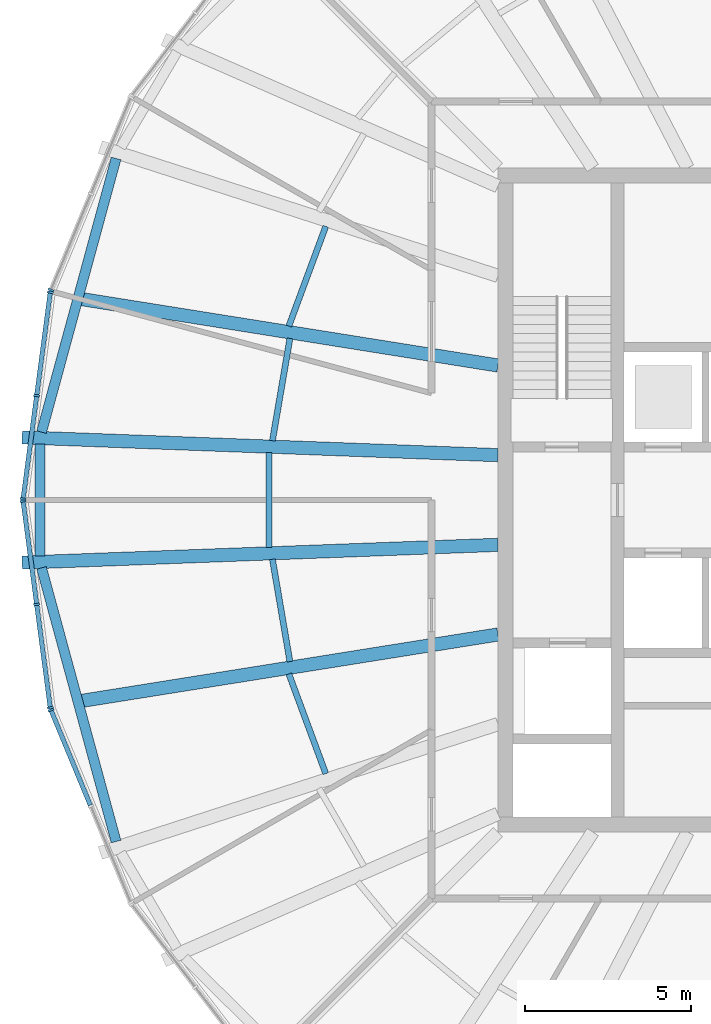
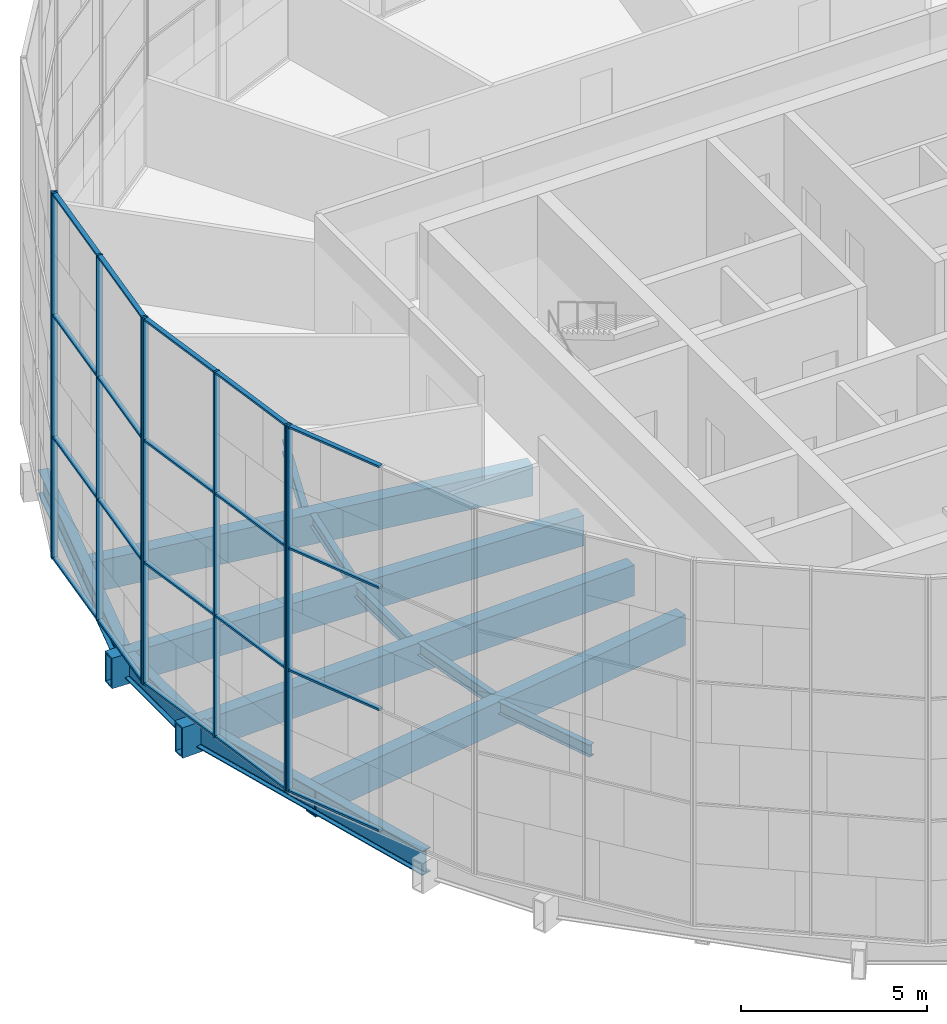
# One storey, part 3 of 22: 28 members, 12 beams, 4 elements without a shape of their own.
"""IFC4 building model written with IfcOpenShell, lengths in metres."""

from ifc_helpers import new_model, si_unit, direction, frame, origin, origin_2d, place, context, subcontext, project, spatial, rectangle, hollow_rectangle, i_section, extrude, material, material_profile, profile_set, type_object, element, aggregate, save


model = new_model("IFC4")

# Units and contexts
model_context = context("Model", 3, precision=1e-05, world=origin(), true_north=direction((0.0, 1.0)))
body_context = subcontext(model_context, "Body", "Model", "MODEL_VIEW")
ifc_project = project(units=[si_unit("LENGTHUNIT", "METRE"), si_unit("AREAUNIT", "SQUARE_METRE"), si_unit("VOLUMEUNIT", "CUBIC_METRE"), si_unit("PLANEANGLEUNIT", "RADIAN"), si_unit("MASSUNIT", "GRAM", prefix="KILO")], contexts=[model_context])

# Site, building, storey
site_placement = place(None, origin())
site = spatial("IfcSite", under=ifc_project, at=site_placement, CompositionType="ELEMENT")
building_placement = place(site_placement, origin())
building = spatial("IfcBuilding", under=site, at=building_placement, Name="Golbaran Civic Tower", CompositionType="ELEMENT")
storey_placement = place(building_placement, frame((0.0, 0.0, 155.0)))
storey = spatial("IfcBuildingStorey", under=building, at=storey_placement, Name="L37", CompositionType="ELEMENT", Elevation=155.0)

# Beams
ifc_material_1 = material(Name="Steel S355", Category="steel")
ifc_material_profile_1 = material_profile(ifc_material_1, i_section(OverallWidth=0.300048828125, OverallDepth=0.800048828125, WebThickness=0.017578125, FlangeThickness=0.032958984375, FilletRadius=0.030029296875, at=origin_2d()), Name="HEB 800")
ifc_profile_set_1 = profile_set([ifc_material_profile_1], Name="Steel S355")
beam_type_1 = type_object("IfcBeamType", Name="EDGE BEAM HEB 800", PredefinedType="BEAM", material=ifc_profile_set_1)
beam_1_placement = place(storey_placement, frame((-21.497314453125, 10.28515625, -0.60009765625), z_axis=(-0.262832022744, -0.964841607633, 0.0), x_axis=(0.964841607633, -0.262832022744, 0.0)))
element("IfcBeam", 1, at=beam_1_placement, inside=storey, type_object=beam_type_1, Name="Edge beam 154.38 L37", PredefinedType="BEAM", context=body_context, shape_type="SweptSolid", body=[
    extrude(i_section(OverallWidth=0.300048828125, OverallDepth=0.800048828125, WebThickness=0.017578125, FlangeThickness=0.032958984375, FilletRadius=0.030029296875, at=origin_2d()), origin(), (0.0, 0.0, 1.0), 8.5419921875),
])
beam_2_placement = place(storey_placement, frame((-23.791015625, 1.68505859375, -0.60009765625), z_axis=(0.0, -1.0, 0.0), x_axis=(1.0, 0.0, 0.0)))
element("IfcBeam", 2, at=beam_2_placement, inside=storey, type_object=beam_type_1, Name="Edge beam 175.62 L37", PredefinedType="BEAM", context=body_context, shape_type="SweptSolid", body=[
    extrude(i_section(OverallWidth=0.300048828125, OverallDepth=0.800048828125, WebThickness=0.017578125, FlangeThickness=0.032958984375, FilletRadius=0.030029296875, at=origin_2d()), origin(), (0.0, 0.0, 1.0), 3.3701171875),
])
beam_3_placement = place(storey_placement, frame((-23.742431640625, -2.04345703125, -0.60009765625), z_axis=(0.262832022744, -0.964841607633, 0.0), x_axis=(0.964841607633, 0.262832022744, 0.0)))
element("IfcBeam", 3, at=beam_3_placement, inside=storey, type_object=beam_type_1, Name="Edge beam 184.38 L37", PredefinedType="BEAM", context=body_context, shape_type="SweptSolid", body=[
    extrude(i_section(OverallWidth=0.300048828125, OverallDepth=0.800048828125, WebThickness=0.017578125, FlangeThickness=0.032958984375, FilletRadius=0.030029296875, at=origin_2d()), origin(), (0.0, 0.0, 1.0), 8.5419921875),
])
ifc_material_profile_2 = material_profile(ifc_material_1, i_section(OverallWidth=0.179931640625, OverallDepth=0.39990234375, WebThickness=0.008544921875, FlangeThickness=0.013427734375, FilletRadius=0.02099609375, at=origin_2d()), Name="IPE 400")
ifc_profile_set_2 = profile_set([ifc_material_profile_2], Name="Steel S355")
beam_type_2 = type_object("IfcBeamType", Name="FLOOR INFILL BEAM IPE 400", PredefinedType="BEAM", material=ifc_profile_set_2)
beam_4_placement = place(storey_placement, frame((-15.183837890625, 8.239990234375, -0.39990234375), z_axis=(-0.3471181857, -0.937821392993, 0.0), x_axis=(0.937821392993, -0.3471181857, 0.0)))
element("IfcBeam", 4, at=beam_4_placement, inside=storey, type_object=beam_type_2, Name="Infill beam 159.69 L37", PredefinedType="BEAM", context=body_context, shape_type="SweptSolid", body=[
    extrude(i_section(OverallWidth=0.179931640625, OverallDepth=0.39990234375, WebThickness=0.008544921875, FlangeThickness=0.013427734375, FilletRadius=0.02099609375, at=origin_2d()), origin(), (0.0, 0.0, 1.0), 3.202392578125),
])
beam_5_placement = place(storey_placement, frame((-16.262939453125, 4.8671875, -0.39990234375), z_axis=(-0.168270567281, -0.985740846362, 0.0), x_axis=(0.985740846362, -0.168270567281, 0.0)))
element("IfcBeam", 5, at=beam_5_placement, inside=storey, type_object=beam_type_2, Name="Infill beam 170.31 L37", PredefinedType="BEAM", context=body_context, shape_type="SweptSolid", body=[
    extrude(i_section(OverallWidth=0.179931640625, OverallDepth=0.39990234375, WebThickness=0.008544921875, FlangeThickness=0.013427734375, FilletRadius=0.02099609375, at=origin_2d()), origin(), (0.0, 0.0, 1.0), 3.128173828125),
])
beam_6_placement = place(storey_placement, frame((-16.8955078125, 1.427490234375, -0.39990234375), z_axis=(0.0, -1.0, 0.0), x_axis=(1.0, 0.0, 0.0)))
element("IfcBeam", 6, at=beam_6_placement, inside=storey, type_object=beam_type_2, Name="Infill beam 180.00 L37", PredefinedType="BEAM", context=body_context, shape_type="SweptSolid", body=[
    extrude(i_section(OverallWidth=0.179931640625, OverallDepth=0.39990234375, WebThickness=0.008544921875, FlangeThickness=0.013427734375, FilletRadius=0.02099609375, at=origin_2d()), origin(), (0.0, 0.0, 1.0), 2.85498046875),
])
beam_7_placement = place(storey_placement, frame((-16.789306640625, -1.78369140625, -0.39990234375), z_axis=(0.168270567281, -0.985740846362, 0.0), x_axis=(0.985740846362, 0.168270567281, 0.0)))
element("IfcBeam", 7, at=beam_7_placement, inside=storey, type_object=beam_type_2, Name="Infill beam 189.69 L37", PredefinedType="BEAM", context=body_context, shape_type="SweptSolid", body=[
    extrude(i_section(OverallWidth=0.179931640625, OverallDepth=0.39990234375, WebThickness=0.008544921875, FlangeThickness=0.013427734375, FilletRadius=0.02099609375, at=origin_2d()), origin(), (0.0, 0.0, 1.0), 3.128173828125),
])
beam_8_placement = place(storey_placement, frame((-16.29541015625, -5.23681640625, -0.39990234375), z_axis=(0.3471181857, -0.937821392993, 0.0), x_axis=(0.937821392993, 0.3471181857, 0.0)))
element("IfcBeam", 8, at=beam_8_placement, inside=storey, type_object=beam_type_2, Name="Infill beam 200.31 L37", PredefinedType="BEAM", context=body_context, shape_type="SweptSolid", body=[
    extrude(i_section(OverallWidth=0.179931640625, OverallDepth=0.39990234375, WebThickness=0.008544921875, FlangeThickness=0.013427734375, FilletRadius=0.02099609375, at=origin_2d()), origin(), (0.0, 0.0, 1.0), 3.202392578125),
])

# Curtain wall, member
ifc_material_2 = material(Name="Aluminium and glass", Category="aluminium")
curtain_wall_type = type_object("IfcCurtainWallType", Name="INNER SKIN CURTAIN WALL", PredefinedType="NOTDEFINED", material=ifc_material_2)
curtain_wall_1_placement = place(storey_placement, origin())
curtain_wall_1 = element("IfcCurtainWall", 9, at=curtain_wall_1_placement, inside=storey, type_object=curtain_wall_type, Name="Inner skin L37 facet 11 CW1", ObjectType="INNER SKIN", PredefinedType="USERDEFINED")
ifc_material_3 = material(Name="Aluminium", Category="aluminium")
ifc_material_profile_3 = material_profile(ifc_material_3, rectangle(XDim=0.179931640625, YDim=0.06494140625, at=origin_2d()), Name="INNER SKIN CURTAIN WALL MULLION")
ifc_profile_set_3 = profile_set([ifc_material_profile_3], Name="Aluminium")
member_type_1 = type_object("IfcMemberType", Name="INNER SKIN CURTAIN WALL MULLION", PredefinedType="MULLION", material=ifc_profile_set_3)
member_1_placement = place(storey_placement, frame((-23.46142578125, 6.31982421875, 0.0), z_axis=(0.0, 0.0, 1.0), x_axis=(0.923879532551, -0.382683432268, 0.0)))
member_1 = element("IfcMember", 10, at=member_1_placement, type_object=member_type_1, Name="CW1 mullion 3", PredefinedType="MULLION", context=body_context, shape_type="SweptSolid", body=[
    extrude(rectangle(XDim=0.179931640625, YDim=0.06494140625, at=origin_2d()), origin(), (0.0, 0.0, 1.0), 12.0),
])
aggregate(curtain_wall_1, [member_1])

# Curtain wall, members
curtain_wall_2_placement = place(storey_placement, origin())
curtain_wall_2 = element("IfcCurtainWall", 11, at=curtain_wall_2_placement, inside=storey, type_object=curtain_wall_type, Name="Inner skin L37 facet 12 CW1", ObjectType="INNER SKIN", PredefinedType="USERDEFINED")
member_2_placement = place(storey_placement, frame((-23.478271484375, 6.257568359375, 0.0), z_axis=(0.0, 0.0, 1.0), x_axis=(0.991444861365, -0.130526192289, 0.0)))
member_2 = element("IfcMember", 12, at=member_2_placement, type_object=member_type_1, Name="CW1 mullion 1", PredefinedType="MULLION", context=body_context, shape_type="SweptSolid", body=[
    extrude(rectangle(XDim=0.179931640625, YDim=0.06494140625, at=origin_2d()), origin(), (0.0, 0.0, 1.0), 12.0),
])
member_3_placement = place(storey_placement, frame((-23.887939453125, 3.14501953125, 0.0), z_axis=(0.0, 0.0, 1.0), x_axis=(0.991444861365, -0.130526192289, 0.0)))
member_3 = element("IfcMember", 13, at=member_3_placement, type_object=member_type_1, Name="CW1 mullion 2", PredefinedType="MULLION", context=body_context, shape_type="SweptSolid", body=[
    extrude(rectangle(XDim=0.179931640625, YDim=0.06494140625, at=origin_2d()), origin(), (0.0, 0.0, 1.0), 12.0),
])
member_4_placement = place(storey_placement, frame((-24.2978515625, 0.0322265625, 0.0), z_axis=(0.0, 0.0, 1.0), x_axis=(0.991444861365, -0.130526192289, 0.0)))
member_4 = element("IfcMember", 14, at=member_4_placement, type_object=member_type_1, Name="CW1 mullion 3", PredefinedType="MULLION", context=body_context, shape_type="SweptSolid", body=[
    extrude(rectangle(XDim=0.179931640625, YDim=0.06494140625, at=origin_2d()), origin(), (0.0, 0.0, 1.0), 12.0),
])

curtain_wall_3_placement = place(storey_placement, origin())
curtain_wall_3 = element("IfcCurtainWall", 15, at=curtain_wall_3_placement, inside=storey, type_object=curtain_wall_type, Name="Inner skin L37 facet 13 CW1", ObjectType="INNER SKIN", PredefinedType="USERDEFINED")
member_5_placement = place(storey_placement, frame((-24.2978515625, -0.0322265625, 0.0), z_axis=(0.0, 0.0, 1.0), x_axis=(0.991444861365, 0.130526192289, 0.0)))
member_5 = element("IfcMember", 16, at=member_5_placement, type_object=member_type_1, Name="CW1 mullion 1", PredefinedType="MULLION", context=body_context, shape_type="SweptSolid", body=[
    extrude(rectangle(XDim=0.179931640625, YDim=0.06494140625, at=origin_2d()), origin(), (0.0, 0.0, 1.0), 12.0),
])
member_6_placement = place(storey_placement, frame((-23.887939453125, -3.14501953125, 0.0), z_axis=(0.0, 0.0, 1.0), x_axis=(0.991444861365, 0.130526192289, 0.0)))
member_6 = element("IfcMember", 17, at=member_6_placement, type_object=member_type_1, Name="CW1 mullion 2", PredefinedType="MULLION", context=body_context, shape_type="SweptSolid", body=[
    extrude(rectangle(XDim=0.179931640625, YDim=0.06494140625, at=origin_2d()), origin(), (0.0, 0.0, 1.0), 12.0),
])
member_7_placement = place(storey_placement, frame((-23.478271484375, -6.257568359375, 0.0), z_axis=(0.0, 0.0, 1.0), x_axis=(0.991444861365, 0.130526192289, 0.0)))
member_7 = element("IfcMember", 18, at=member_7_placement, type_object=member_type_1, Name="CW1 mullion 3", PredefinedType="MULLION", context=body_context, shape_type="SweptSolid", body=[
    extrude(rectangle(XDim=0.179931640625, YDim=0.06494140625, at=origin_2d()), origin(), (0.0, 0.0, 1.0), 12.0),
])

# Curtain wall, member
curtain_wall_4_placement = place(storey_placement, origin())
curtain_wall_4 = element("IfcCurtainWall", 19, at=curtain_wall_4_placement, inside=storey, type_object=curtain_wall_type, Name="Inner skin L37 facet 14 CW1", ObjectType="INNER SKIN", PredefinedType="USERDEFINED")
member_8_placement = place(storey_placement, frame((-23.46142578125, -6.31982421875, 0.0), z_axis=(0.0, 0.0, 1.0), x_axis=(0.923879532551, 0.382683432268, 0.0)))
member_8 = element("IfcMember", 20, at=member_8_placement, type_object=member_type_1, Name="CW1 mullion 1", PredefinedType="MULLION", context=body_context, shape_type="SweptSolid", body=[
    extrude(rectangle(XDim=0.179931640625, YDim=0.06494140625, at=origin_2d()), origin(), (0.0, 0.0, 1.0), 12.0),
])

# Member
ifc_material_profile_4 = material_profile(ifc_material_3, rectangle(XDim=0.139892578125, YDim=0.06494140625, at=origin_2d()), Name="INNER SKIN CURTAIN WALL TRANSOM")
ifc_profile_set_4 = profile_set([ifc_material_profile_4], Name="Aluminium")
member_type_2 = type_object("IfcMemberType", Name="INNER SKIN CURTAIN WALL TRANSOM", PredefinedType="USERDEFINED", material=ifc_profile_set_4)
member_9_placement = place(storey_placement, frame((-23.482421875, 6.225341796875, 0.032470703125), z_axis=(-0.130551058833, -0.991441587305, 0.0), x_axis=(0.991441587305, -0.130551058833, 0.0)))
member_9 = element("IfcMember", 21, at=member_9_placement, type_object=member_type_2, Name="CW1 transom 1.1", ObjectType="TRANSOM", PredefinedType="USERDEFINED", context=body_context, shape_type="SweptSolid", body=[
    extrude(rectangle(XDim=0.139892578125, YDim=0.06494140625, at=origin_2d()), origin(), (0.0, 0.0, 1.0), 3.074462890625),
])

member_10_placement = place(storey_placement, frame((-23.482421875, 6.225341796875, 4.0), z_axis=(-0.130551058833, -0.991441587305, 0.0), x_axis=(0.991441587305, -0.130551058833, 0.0)))
member_10 = element("IfcMember", 22, at=member_10_placement, type_object=member_type_2, Name="CW1 transom 1.2", ObjectType="TRANSOM", PredefinedType="USERDEFINED", context=body_context, shape_type="SweptSolid", body=[
    extrude(rectangle(XDim=0.139892578125, YDim=0.06494140625, at=origin_2d()), origin(), (0.0, 0.0, 1.0), 3.074462890625),
])

member_11_placement = place(storey_placement, frame((-23.482421875, 6.225341796875, 8.0), z_axis=(-0.130551058833, -0.991441587305, 0.0), x_axis=(0.991441587305, -0.130551058833, 0.0)))
member_11 = element("IfcMember", 23, at=member_11_placement, type_object=member_type_2, Name="CW1 transom 1.3", ObjectType="TRANSOM", PredefinedType="USERDEFINED", context=body_context, shape_type="SweptSolid", body=[
    extrude(rectangle(XDim=0.139892578125, YDim=0.06494140625, at=origin_2d()), origin(), (0.0, 0.0, 1.0), 3.074462890625),
])

member_12_placement = place(storey_placement, frame((-23.482421875, 6.225341796875, 11.967529296875), z_axis=(-0.130551058833, -0.991441587305, 0.0), x_axis=(0.991441587305, -0.130551058833, 0.0)))
member_12 = element("IfcMember", 24, at=member_12_placement, type_object=member_type_2, Name="CW1 transom 1.4", ObjectType="TRANSOM", PredefinedType="USERDEFINED", context=body_context, shape_type="SweptSolid", body=[
    extrude(rectangle(XDim=0.139892578125, YDim=0.06494140625, at=origin_2d()), origin(), (0.0, 0.0, 1.0), 3.074462890625),
])

member_13_placement = place(storey_placement, frame((-23.89208984375, 3.11279296875, 0.032470703125), z_axis=(-0.130540781221, -0.991442940586, 0.0), x_axis=(0.991442940586, -0.130540781221, 0.0)))
member_13 = element("IfcMember", 25, at=member_13_placement, type_object=member_type_2, Name="CW1 transom 2.1", ObjectType="TRANSOM", PredefinedType="USERDEFINED", context=body_context, shape_type="SweptSolid", body=[
    extrude(rectangle(XDim=0.139892578125, YDim=0.06494140625, at=origin_2d()), origin(), (0.0, 0.0, 1.0), 3.07470703125),
])

member_14_placement = place(storey_placement, frame((-23.89208984375, 3.11279296875, 4.0), z_axis=(-0.130540781221, -0.991442940586, 0.0), x_axis=(0.991442940586, -0.130540781221, 0.0)))
member_14 = element("IfcMember", 26, at=member_14_placement, type_object=member_type_2, Name="CW1 transom 2.2", ObjectType="TRANSOM", PredefinedType="USERDEFINED", context=body_context, shape_type="SweptSolid", body=[
    extrude(rectangle(XDim=0.139892578125, YDim=0.06494140625, at=origin_2d()), origin(), (0.0, 0.0, 1.0), 3.07470703125),
])

member_15_placement = place(storey_placement, frame((-23.89208984375, 3.11279296875, 8.0), z_axis=(-0.130540781221, -0.991442940586, 0.0), x_axis=(0.991442940586, -0.130540781221, 0.0)))
member_15 = element("IfcMember", 27, at=member_15_placement, type_object=member_type_2, Name="CW1 transom 2.3", ObjectType="TRANSOM", PredefinedType="USERDEFINED", context=body_context, shape_type="SweptSolid", body=[
    extrude(rectangle(XDim=0.139892578125, YDim=0.06494140625, at=origin_2d()), origin(), (0.0, 0.0, 1.0), 3.07470703125),
])

member_16_placement = place(storey_placement, frame((-23.89208984375, 3.11279296875, 11.967529296875), z_axis=(-0.130540781221, -0.991442940586, 0.0), x_axis=(0.991442940586, -0.130540781221, 0.0)))
member_16 = element("IfcMember", 28, at=member_16_placement, type_object=member_type_2, Name="CW1 transom 2.4", ObjectType="TRANSOM", PredefinedType="USERDEFINED", context=body_context, shape_type="SweptSolid", body=[
    extrude(rectangle(XDim=0.139892578125, YDim=0.06494140625, at=origin_2d()), origin(), (0.0, 0.0, 1.0), 3.07470703125),
])

aggregate(curtain_wall_2, [member_2, member_3, member_4, member_9, member_10, member_11, member_12, member_13, member_14, member_15, member_16])

member_17_placement = place(storey_placement, frame((-24.29345703125, -0.064453125, 0.032470703125), z_axis=(0.130540781221, -0.991442940586, 0.0), x_axis=(0.991442940586, 0.130540781221, 0.0)))
member_17 = element("IfcMember", 29, at=member_17_placement, type_object=member_type_2, Name="CW1 transom 1.1", ObjectType="TRANSOM", PredefinedType="USERDEFINED", context=body_context, shape_type="SweptSolid", body=[
    extrude(rectangle(XDim=0.139892578125, YDim=0.06494140625, at=origin_2d()), origin(), (0.0, 0.0, 1.0), 3.07470703125),
])

member_18_placement = place(storey_placement, frame((-24.29345703125, -0.064453125, 4.0), z_axis=(0.130540781221, -0.991442940586, 0.0), x_axis=(0.991442940586, 0.130540781221, 0.0)))
member_18 = element("IfcMember", 30, at=member_18_placement, type_object=member_type_2, Name="CW1 transom 1.2", ObjectType="TRANSOM", PredefinedType="USERDEFINED", context=body_context, shape_type="SweptSolid", body=[
    extrude(rectangle(XDim=0.139892578125, YDim=0.06494140625, at=origin_2d()), origin(), (0.0, 0.0, 1.0), 3.07470703125),
])

member_19_placement = place(storey_placement, frame((-24.29345703125, -0.064453125, 8.0), z_axis=(0.130540781221, -0.991442940586, 0.0), x_axis=(0.991442940586, 0.130540781221, 0.0)))
member_19 = element("IfcMember", 31, at=member_19_placement, type_object=member_type_2, Name="CW1 transom 1.3", ObjectType="TRANSOM", PredefinedType="USERDEFINED", context=body_context, shape_type="SweptSolid", body=[
    extrude(rectangle(XDim=0.139892578125, YDim=0.06494140625, at=origin_2d()), origin(), (0.0, 0.0, 1.0), 3.07470703125),
])

member_20_placement = place(storey_placement, frame((-24.29345703125, -0.064453125, 11.967529296875), z_axis=(0.130540781221, -0.991442940586, 0.0), x_axis=(0.991442940586, 0.130540781221, 0.0)))
member_20 = element("IfcMember", 32, at=member_20_placement, type_object=member_type_2, Name="CW1 transom 1.4", ObjectType="TRANSOM", PredefinedType="USERDEFINED", context=body_context, shape_type="SweptSolid", body=[
    extrude(rectangle(XDim=0.139892578125, YDim=0.06494140625, at=origin_2d()), origin(), (0.0, 0.0, 1.0), 3.07470703125),
])

member_21_placement = place(storey_placement, frame((-23.8837890625, -3.17724609375, 0.032470703125), z_axis=(0.130551058833, -0.991441587305, 0.0), x_axis=(0.991441587305, 0.130551058833, 0.0)))
member_21 = element("IfcMember", 33, at=member_21_placement, type_object=member_type_2, Name="CW1 transom 2.1", ObjectType="TRANSOM", PredefinedType="USERDEFINED", context=body_context, shape_type="SweptSolid", body=[
    extrude(rectangle(XDim=0.139892578125, YDim=0.06494140625, at=origin_2d()), origin(), (0.0, 0.0, 1.0), 3.074462890625),
])

member_22_placement = place(storey_placement, frame((-23.8837890625, -3.17724609375, 4.0), z_axis=(0.130551058833, -0.991441587305, 0.0), x_axis=(0.991441587305, 0.130551058833, 0.0)))
member_22 = element("IfcMember", 34, at=member_22_placement, type_object=member_type_2, Name="CW1 transom 2.2", ObjectType="TRANSOM", PredefinedType="USERDEFINED", context=body_context, shape_type="SweptSolid", body=[
    extrude(rectangle(XDim=0.139892578125, YDim=0.06494140625, at=origin_2d()), origin(), (0.0, 0.0, 1.0), 3.074462890625),
])

member_23_placement = place(storey_placement, frame((-23.8837890625, -3.17724609375, 8.0), z_axis=(0.130551058833, -0.991441587305, 0.0), x_axis=(0.991441587305, 0.130551058833, 0.0)))
member_23 = element("IfcMember", 35, at=member_23_placement, type_object=member_type_2, Name="CW1 transom 2.3", ObjectType="TRANSOM", PredefinedType="USERDEFINED", context=body_context, shape_type="SweptSolid", body=[
    extrude(rectangle(XDim=0.139892578125, YDim=0.06494140625, at=origin_2d()), origin(), (0.0, 0.0, 1.0), 3.074462890625),
])

member_24_placement = place(storey_placement, frame((-23.8837890625, -3.17724609375, 11.967529296875), z_axis=(0.130551058833, -0.991441587305, 0.0), x_axis=(0.991441587305, 0.130551058833, 0.0)))
member_24 = element("IfcMember", 36, at=member_24_placement, type_object=member_type_2, Name="CW1 transom 2.4", ObjectType="TRANSOM", PredefinedType="USERDEFINED", context=body_context, shape_type="SweptSolid", body=[
    extrude(rectangle(XDim=0.139892578125, YDim=0.06494140625, at=origin_2d()), origin(), (0.0, 0.0, 1.0), 3.074462890625),
])

aggregate(curtain_wall_3, [member_5, member_6, member_7, member_17, member_18, member_19, member_20, member_21, member_22, member_23, member_24])

member_25_placement = place(storey_placement, frame((-23.448974609375, -6.349853515625, 0.032470703125), z_axis=(0.38265802939, -0.923890054359, 0.0), x_axis=(0.923890054359, 0.38265802939, 0.0)))
member_25 = element("IfcMember", 37, at=member_25_placement, type_object=member_type_2, Name="CW1 transom 1.1", ObjectType="TRANSOM", PredefinedType="USERDEFINED", context=body_context, shape_type="SweptSolid", body=[
    extrude(rectangle(XDim=0.139892578125, YDim=0.06494140625, at=origin_2d()), origin(), (0.0, 0.0, 1.0), 3.074462890625),
])

member_26_placement = place(storey_placement, frame((-23.448974609375, -6.349853515625, 4.0), z_axis=(0.38265802939, -0.923890054359, 0.0), x_axis=(0.923890054359, 0.38265802939, 0.0)))
member_26 = element("IfcMember", 38, at=member_26_placement, type_object=member_type_2, Name="CW1 transom 1.2", ObjectType="TRANSOM", PredefinedType="USERDEFINED", context=body_context, shape_type="SweptSolid", body=[
    extrude(rectangle(XDim=0.139892578125, YDim=0.06494140625, at=origin_2d()), origin(), (0.0, 0.0, 1.0), 3.074462890625),
])

member_27_placement = place(storey_placement, frame((-23.448974609375, -6.349853515625, 8.0), z_axis=(0.38265802939, -0.923890054359, 0.0), x_axis=(0.923890054359, 0.38265802939, 0.0)))
member_27 = element("IfcMember", 39, at=member_27_placement, type_object=member_type_2, Name="CW1 transom 1.3", ObjectType="TRANSOM", PredefinedType="USERDEFINED", context=body_context, shape_type="SweptSolid", body=[
    extrude(rectangle(XDim=0.139892578125, YDim=0.06494140625, at=origin_2d()), origin(), (0.0, 0.0, 1.0), 3.074462890625),
])

member_28_placement = place(storey_placement, frame((-23.448974609375, -6.349853515625, 11.967529296875), z_axis=(0.38265802939, -0.923890054359, 0.0), x_axis=(0.923890054359, 0.38265802939, 0.0)))
member_28 = element("IfcMember", 40, at=member_28_placement, type_object=member_type_2, Name="CW1 transom 1.4", ObjectType="TRANSOM", PredefinedType="USERDEFINED", context=body_context, shape_type="SweptSolid", body=[
    extrude(rectangle(XDim=0.139892578125, YDim=0.06494140625, at=origin_2d()), origin(), (0.0, 0.0, 1.0), 3.074462890625),
])

aggregate(curtain_wall_4, [member_8, member_25, member_26, member_27, member_28])

# Beams
ifc_material_profile_5 = material_profile(ifc_material_1, hollow_rectangle(XDim=0.39990234375, YDim=1.0, WallThickness=0.050048828125, at=origin_2d()), Name="BOX 1000x400x50")
ifc_profile_set_5 = profile_set([ifc_material_profile_5], Name="Steel S355")
beam_type_3 = type_object("IfcBeamType", Name="RADIAL FLOOR BEAM BOX 1000x400x50", PredefinedType="BEAM", material=ifc_profile_set_5)
for number, where, z_axis, x_axis, name in (
    (41, (-10.0, 1.35009765625, -0.7099609375), (-0.999303263092, 0.03732275946, 0.0), (-0.03732275946, -0.999303263092, 0.0), "Radial beam 175.62 L37"),
    (42, (-10.0, -1.35009765625, -0.7099609375), (-0.999303263092, -0.03732275946, 0.0), (0.03732275946, -0.999303263092, 0.0), "Radial beam 184.38 L37"),
):
    element("IfcBeam", number, at=place(storey_placement, frame(where, z_axis=z_axis, x_axis=x_axis)), inside=storey, type_object=beam_type_3, Name=name, PredefinedType="BEAM", context=body_context, shape_type="SweptSolid", body=[
        extrude(hollow_rectangle(XDim=0.39990234375, YDim=1.0, WallThickness=0.050048828125, at=origin_2d()), origin(), (0.0, 0.0, 1.0), 14.338623046875),
    ])
ifc_material_profile_6 = material_profile(ifc_material_1, hollow_rectangle(XDim=0.39990234375, YDim=1.0, WallThickness=0.0400390625, at=origin_2d()), Name="BOX 1000x400x40")
ifc_profile_set_6 = profile_set([ifc_material_profile_6], Name="Steel S355")
beam_type_4 = type_object("IfcBeamType", Name="SECONDARY FLOOR BEAM BOX 1000x400x40", PredefinedType="BEAM", material=ifc_profile_set_6)
for number, where, z_axis, x_axis, name in (
    (43, (-10.0, 4.050048828125, -0.7099609375), (-0.987505503488, 0.157584518848, 0.0), (-0.157584518848, -0.987505503488, 0.0), "Secondary beam 165.00 L37"),
    (44, (-10.0, -4.050048828125, -0.7099609375), (-0.987505503488, -0.157584518848, 0.0), (0.157584518848, -0.987505503488, 0.0), "Secondary beam 195.00 L37"),
):
    element("IfcBeam", number, at=place(storey_placement, frame(where, z_axis=z_axis, x_axis=x_axis)), inside=storey, type_object=beam_type_4, Name=name, PredefinedType="BEAM", context=body_context, shape_type="SweptSolid", body=[
        extrude(hollow_rectangle(XDim=0.39990234375, YDim=1.0, WallThickness=0.0400390625, at=origin_2d()), origin(), (0.0, 0.0, 1.0), 12.80615234375),
    ])

save(model, "model.ifc")
